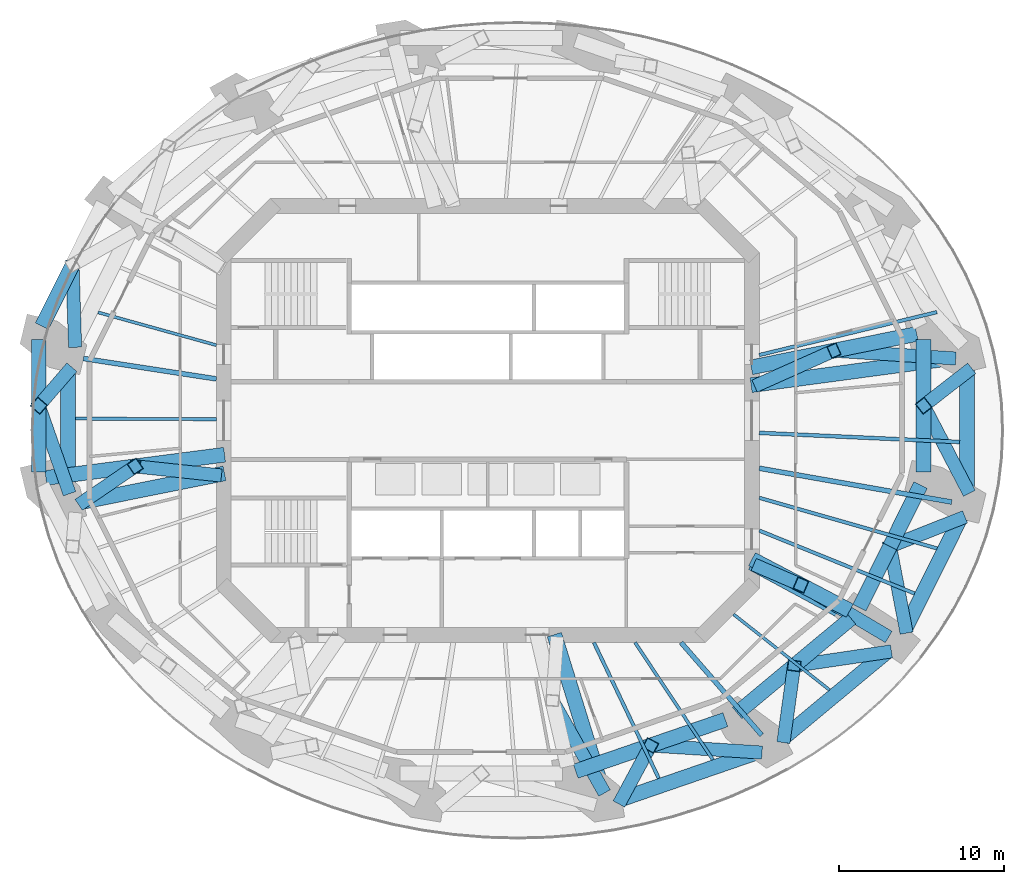
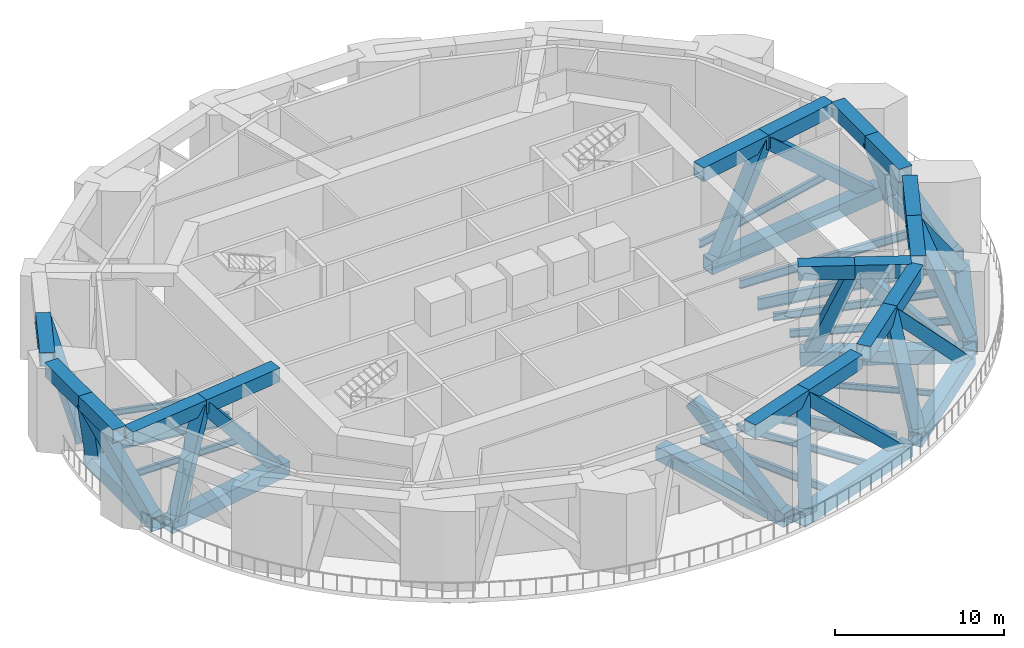
# One storey, part 2 of 11: 44 members, 12 beams.
"""IFC4 building model written with IfcOpenShell, lengths in metres."""

import ifcopenshell
import ifcopenshell.guid

model = None  # the IFC model being written
_history = None  # IfcOwnerHistory: only IFC2X3 demands one
_inside = {}  # id of a spatial element -> (the spatial element, [elements in it])
_under = {}  # id of a project, library or spatial element -> (it, [spatial elements below it])
_declared = {}  # id of a project -> (the project, [libraries it declares])
_typed = {}  # id of a type object -> (the type object, [elements of that type])
_made_of = {}  # id of a material, layer set ... -> (it, [elements and type objects made of it])


def new_model(schema):
    """Start an empty IFC model of exactly this schema.

    Asked for "IFC4X3", IfcOpenShell would pick the latest addendum, in which some entities
    have other attributes; the version numbers below select the first issue.
    IFC2X3 requires an IfcOwnerHistory on every rooted entity: one is made here for all.
    """
    global model, _history
    if schema == "IFC4X3":
        model = ifcopenshell.file(schema_version=(4, 3, 0, 0))
    else:
        model = ifcopenshell.file(schema=schema)
    _inside.clear()
    _under.clear()
    _declared.clear()
    _typed.clear()
    _made_of.clear()
    _history = None
    if model.schema == "IFC2X3":
        org = make("IfcOrganization", Name="unknown")
        user = make(
            "IfcPersonAndOrganization",
            ThePerson=make("IfcPerson", FamilyName="unknown"),
            TheOrganization=org,
        )
        app = make(
            "IfcApplication",
            ApplicationDeveloper=org,
            Version="unknown",
            ApplicationFullName="unknown",
            ApplicationIdentifier="unknown",
        )
        _history = make(
            "IfcOwnerHistory",
            OwningUser=user,
            OwningApplication=app,
            ChangeAction="ADDED",
            CreationDate=0,
        )
    return model


def make(cls, **values):
    """One entity of the class cls with the attributes given. An attribute that is None is left unset."""
    return model.create_entity(
        cls, **{name: value for name, value in values.items() if value is not None}
    )


def rooted(cls, **values):
    """An entity with a GlobalId (a new one), such as an element, a storey or a relation."""
    return make(cls, GlobalId=ifcopenshell.guid.new(), OwnerHistory=_history, **values)


def si_unit(unit_type, name, prefix=None):
    """IfcSIUnit, for example si_unit("LENGTHUNIT", "METRE", prefix="MILLI")."""
    return make("IfcSIUnit", UnitType=unit_type, Prefix=prefix, Name=name)


def assignment(units):
    """IfcUnitAssignment: the units of a project."""
    return None if units is None else make("IfcUnitAssignment", Units=units)


def point(xyz):
    """IfcCartesianPoint."""
    return None if xyz is None else make("IfcCartesianPoint", Coordinates=xyz)


def direction(xyz):
    """IfcDirection."""
    return None if xyz is None else make("IfcDirection", DirectionRatios=xyz)


def frame(location, z_axis=None, x_axis=None):
    """IfcAxis2Placement3D, a coordinate frame: its origin and axes. An axis left out is left unset."""
    return make(
        "IfcAxis2Placement3D",
        Location=point(location),
        Axis=direction(z_axis),
        RefDirection=direction(x_axis),
    )


def frame_2d(location, x_axis=None):
    """IfcAxis2Placement2D, a coordinate frame in the plane: its origin and x axis."""
    return make(
        "IfcAxis2Placement2D", Location=point(location), RefDirection=direction(x_axis)
    )


def origin():
    """The frame at (0, 0, 0) with its axes left unset."""
    return frame((0.0, 0.0, 0.0))


def origin_2d():
    """The frame at (0, 0) in the plane with its x axis left unset."""
    return frame_2d((0.0, 0.0))


def place(relative_to, where):
    """IfcLocalPlacement: puts the frame where relative to a parent placement (None: the world)."""
    return make(
        "IfcLocalPlacement", PlacementRelTo=relative_to, RelativePlacement=where
    )


def context(
    kind, dimensions, precision=None, world=None, true_north=None, identifier=None
):
    """IfcGeometricRepresentationContext, for example the 3D "Model" context."""
    return make(
        "IfcGeometricRepresentationContext",
        ContextIdentifier=identifier,
        ContextType=kind,
        CoordinateSpaceDimension=dimensions,
        Precision=precision,
        WorldCoordinateSystem=world,
        TrueNorth=true_north,
    )


def subcontext(parent, identifier, kind, view, scale=None):
    """IfcGeometricRepresentationSubContext, for example "Body" below "Model"."""
    return make(
        "IfcGeometricRepresentationSubContext",
        ContextIdentifier=identifier,
        ContextType=kind,
        ParentContext=parent,
        TargetScale=scale,
        TargetView=view,
    )


def project(units=None, contexts=None):
    """IfcProject with its units and contexts."""
    return rooted(
        "IfcProject",
        Name="project",
        RepresentationContexts=contexts,
        UnitsInContext=assignment(units),
    )


def spatial(cls, under=None, at=None, **own):
    """A site, building, storey or space (cls), placed at a placement, below another one or the project."""
    s = rooted(cls, ObjectPlacement=at, **own)
    if under is not None:
        _under.setdefault(under.id(), (under, []))[1].append(s)
    return s


def profile(cls, at=None, kind="AREA", **sizes):
    """A parametric profile (cls). Its sizes go by their IFC names, for example OverallWidth=200.0."""
    return make(cls, ProfileType=kind, Position=at, **sizes)


def hollow_rectangle(**sizes):
    """IfcRectangleHollowProfileDef."""
    return profile("IfcRectangleHollowProfileDef", **sizes)


def i_section(**sizes):
    """IfcIShapeProfileDef."""
    return profile("IfcIShapeProfileDef", **sizes)


def extrude(swept, where, along, depth):
    """IfcExtrudedAreaSolid: the profile swept, set in the frame where, extruded along a direction by depth."""
    return make(
        "IfcExtrudedAreaSolid",
        SweptArea=swept,
        Position=where,
        ExtrudedDirection=direction(along),
        Depth=depth,
    )


def shape(context_of_items, identifier, shape_type, items):
    """IfcShapeRepresentation: the items that make up one representation, for example the "Body"."""
    return make(
        "IfcShapeRepresentation",
        ContextOfItems=context_of_items,
        RepresentationIdentifier=identifier,
        RepresentationType=shape_type,
        Items=items,
    )


def material(Name=None, Category=None):
    """IfcMaterial."""
    return make("IfcMaterial", Name=Name, Category=Category)


def material_profile(
    of_material, cross_section, Name=None, Category=None, Priority=None
):
    """IfcMaterialProfile: a cross section and its material."""
    return make(
        "IfcMaterialProfile",
        Name=Name,
        Material=of_material,
        Profile=cross_section,
        Priority=Priority,
        Category=Category,
    )


def profile_set(profiles, Name=None, composite=None):
    """IfcMaterialProfileSet."""
    return make(
        "IfcMaterialProfileSet",
        Name=Name,
        MaterialProfiles=profiles,
        CompositeProfile=composite,
    )


def made_of(thing, what):
    """Note that an element or type object is made of a material, layer set ...; save() writes the relation."""
    if what is not None:
        _made_of.setdefault(what.id(), (what, []))[1].append(thing)
    return thing


def type_object(cls, material=None, **own):
    """A type object (cls), such as IfcWallType, which elements share."""
    return made_of(rooted(cls, **own), material)


def element(
    cls,
    number,
    at=None,
    inside=None,
    cuts=None,
    type_object=None,
    material=None,
    context=None,
    identifier="Body",
    shape_type=None,
    held_by="IfcProductDefinitionShape",
    body=None,
    shapes=None,
    **own,
):
    """One element of the class cls, such as IfcWall. Its Tag is "e" and its number.

    at: its placement. inside: the storey or other place that contains it. cuts: it is an
    opening in that element (IfcRelVoidsElement). A single representation is given by context,
    identifier, shape_type and body (its items); several are given by shapes. held_by: the class
    of the entity that holds the representations. save() writes the other relations.
    """
    e = rooted(cls, Tag="e%d" % number, ObjectPlacement=at, **own)
    if body is not None:
        shapes = [shape(context, identifier, shape_type, body)]
    if shapes is not None:
        e.Representation = make(held_by, Representations=shapes)
    if inside is not None:
        _inside.setdefault(inside.id(), (inside, []))[1].append(e)
    if cuts is not None:
        rooted(
            "IfcRelVoidsElement", RelatingBuildingElement=cuts, RelatedOpeningElement=e
        )
    if type_object is not None:
        _typed.setdefault(type_object.id(), (type_object, []))[1].append(e)
    return made_of(e, material)


def aggregate(whole, parts):
    """IfcRelAggregates: a whole, such as a stair, and the parts it consists of."""
    return rooted("IfcRelAggregates", RelatingObject=whole, RelatedObjects=parts)


def save(model, path):
    """Write the relations noted so far, then the file.

    IfcRelAggregates (storeys below a building ...), IfcRelContainedInSpatialStructure (elements
    in a storey), IfcRelDefinesByType, IfcRelAssociatesMaterial and IfcRelDeclares: one each for
    every whole, place, type object, material and project.
    """
    for whole, parts in _under.values():
        aggregate(whole, parts)
    for where, things in _inside.values():
        rooted(
            "IfcRelContainedInSpatialStructure",
            RelatedElements=things,
            RelatingStructure=where,
        )
    for kind, things in _typed.values():
        rooted("IfcRelDefinesByType", RelatedObjects=things, RelatingType=kind)
    for what, things in _made_of.values():
        rooted("IfcRelAssociatesMaterial", RelatedObjects=things, RelatingMaterial=what)
    for by, libraries in _declared.values():
        rooted("IfcRelDeclares", RelatingContext=by, RelatedDefinitions=libraries)
    model.write(path)


model = new_model("IFC4")

# Units and contexts
model_context = context("Model", 3, precision=1e-05, world=origin(), true_north=direction((0.0, 1.0)))
body_context = subcontext(model_context, "Body", "Model", "MODEL_VIEW")
ifc_project = project(units=[si_unit("LENGTHUNIT", "METRE"), si_unit("AREAUNIT", "SQUARE_METRE"), si_unit("VOLUMEUNIT", "CUBIC_METRE"), si_unit("PLANEANGLEUNIT", "RADIAN"), si_unit("MASSUNIT", "GRAM", prefix="KILO")], contexts=[model_context])

# Site, building, storey
site_placement = place(None, origin())
site = spatial("IfcSite", under=ifc_project, at=site_placement, CompositionType="ELEMENT")
building_placement = place(site_placement, origin())
building = spatial("IfcBuilding", under=site, at=building_placement, Name="Marenthal Gate Tower", CompositionType="ELEMENT")
storey_placement = place(building_placement, frame((0.0, 0.0, 273.10009765625)))
storey = spatial("IfcBuildingStorey", under=building, at=storey_placement, Name="L61", CompositionType="ELEMENT", Elevation=273.10009765625)

# Beams
ifc_material_1 = material(Name="Steel S355", Category="steel")
ifc_material_profile_1 = material_profile(ifc_material_1, i_section(OverallWidth=0.180908203125, OverallDepth=0.4169921875, WebThickness=0.010986328125, FlangeThickness=0.018310546875, FilletRadius=0.01025390625, at=origin_2d()), Name="W410X85")
ifc_profile_set_1 = profile_set([ifc_material_profile_1], Name="Steel S355")
beam_type_1 = type_object("IfcBeamType", Name="W410X85 beam", PredefinedType="BEAM", material=ifc_profile_set_1)
beam_1_placement = place(storey_placement, frame((-23.622802734375, 6.555908203125, -0.508544921875), z_axis=(0.963578028934, -0.267427339957, 0.0), x_axis=(0.267427339957, 0.963578028934, 0.0)))
element("IfcBeam", 1, at=beam_1_placement, inside=storey, type_object=beam_type_1, Name="BM-L61-19", PredefinedType="BEAM", context=body_context, shape_type="SweptSolid", body=[
    extrude(i_section(OverallWidth=0.180908203125, OverallDepth=0.4169921875, WebThickness=0.010986328125, FlangeThickness=0.018310546875, FilletRadius=0.01025390625, at=origin_2d()), origin(), (0.0, 0.0, 1.0), 7.444091796875),
])
beam_2_placement = place(storey_placement, frame((20.705322265625, -16.3271484375, -0.508544921875), z_axis=(-0.785232158351, 0.619201467611, 0.0), x_axis=(-0.619201467611, -0.785232158351, 0.0)))
element("IfcBeam", 2, at=beam_2_placement, inside=storey, type_object=beam_type_1, Name="BM-L61-29", PredefinedType="BEAM", context=body_context, shape_type="SweptSolid", body=[
    extrude(i_section(OverallWidth=0.180908203125, OverallDepth=0.4169921875, WebThickness=0.010986328125, FlangeThickness=0.018310546875, FilletRadius=0.01025390625, at=origin_2d()), origin(), (0.0, 0.0, 1.0), 7.40234375),
])
ifc_material_2 = material(Name="Steel S355", Category="steel")
ifc_material_profile_2 = material_profile(ifc_material_2, i_section(OverallWidth=0.193115234375, OverallDepth=0.467041015625, WebThickness=0.011474609375, FlangeThickness=0.01904296875, FilletRadius=0.010009765625, at=origin_2d()), Name="W460X97")
ifc_profile_set_2 = profile_set([ifc_material_profile_2], Name="Steel S355")
beam_type_2 = type_object("IfcBeamType", Name="W460X97 beam", PredefinedType="BEAM", material=ifc_profile_set_2)
beam_3_placement = place(storey_placement, frame((-24.997314453125, 0.118408203125, -0.53369140625), z_axis=(0.999988759267, -0.00474144913, 0.0), x_axis=(0.00474144913, 0.999988759267, 0.0)))
element("IfcBeam", 3, at=beam_3_placement, inside=storey, type_object=beam_type_2, Name="BM-L61-20", PredefinedType="BEAM", context=body_context, shape_type="SweptSolid", body=[
    extrude(i_section(OverallWidth=0.193115234375, OverallDepth=0.467041015625, WebThickness=0.011474609375, FlangeThickness=0.01904296875, FilletRadius=0.010009765625, at=origin_2d()), origin(), (0.0, 0.0, 1.0), 8.54736328125),
])
beam_4_placement = place(storey_placement, frame((13.63916015625, -20.55859375, -0.53369140625), z_axis=(-0.552829767597, 0.833294214584, 0.0), x_axis=(-0.833294214584, -0.552829767597, 0.0)))
element("IfcBeam", 4, at=beam_4_placement, inside=storey, type_object=beam_type_2, Name="BM-L61-28", PredefinedType="BEAM", context=body_context, shape_type="SweptSolid", body=[
    extrude(i_section(OverallWidth=0.193115234375, OverallDepth=0.467041015625, WebThickness=0.011474609375, FlangeThickness=0.01904296875, FilletRadius=0.010009765625, at=origin_2d()), origin(), (0.0, 0.0, 1.0), 8.53076171875),
])
ifc_material_3 = material(Name="Steel S355", Category="steel")
ifc_material_profile_3 = material_profile(ifc_material_3, i_section(OverallWidth=0.2099609375, OverallDepth=0.535888671875, WebThickness=0.010986328125, FlangeThickness=0.017333984375, FilletRadius=0.0126953125, at=origin_2d()), Name="W530X101")
ifc_profile_set_3 = profile_set([ifc_material_profile_3], Name="Steel S355")
beam_type_3 = type_object("IfcBeamType", Name="W530X101 beam", PredefinedType="BEAM", material=ifc_profile_set_3)
beam_5_placement = place(storey_placement, frame((10.36279296875, -21.6865234375, -0.568115234375), z_axis=(-0.431148856429, 0.902280811943, 0.0), x_axis=(-0.902280811943, -0.431148856429, 0.0)))
element("IfcBeam", 5, at=beam_5_placement, inside=storey, type_object=beam_type_3, Name="BM-L61-27", PredefinedType="BEAM", context=body_context, shape_type="SweptSolid", body=[
    extrude(i_section(OverallWidth=0.2099609375, OverallDepth=0.535888671875, WebThickness=0.010986328125, FlangeThickness=0.017333984375, FilletRadius=0.0126953125, at=origin_2d()), origin(), (0.0, 0.0, 1.0), 9.128662109375),
])
ifc_material_4 = material(Name="Steel S355", Category="steel")
ifc_material_profile_4 = material_profile(ifc_material_4, i_section(OverallWidth=0.2119140625, OverallDepth=0.5439453125, WebThickness=0.01318359375, FlangeThickness=0.021240234375, FilletRadius=0.0126953125, at=origin_2d()), Name="W530X123")
ifc_profile_set_4 = profile_set([ifc_material_profile_4], Name="Steel S355")
beam_type_4 = type_object("IfcBeamType", Name="W530X123 beam", PredefinedType="BEAM", material=ifc_profile_set_4)
beam_6_placement = place(storey_placement, frame((27.2158203125, 6.570068359375, -0.572021484375), z_axis=(-0.972077700504, -0.234659208605, 0.0), x_axis=(0.234659208605, -0.972077700504, 0.0)))
element("IfcBeam", 6, at=beam_6_placement, inside=storey, type_object=beam_type_4, Name="BM-L61-09", PredefinedType="BEAM", context=body_context, shape_type="SweptSolid", body=[
    extrude(i_section(OverallWidth=0.2119140625, OverallDepth=0.5439453125, WebThickness=0.01318359375, FlangeThickness=0.021240234375, FilletRadius=0.0126953125, at=origin_2d()), origin(), (0.0, 0.0, 1.0), 11.0751953125),
])
beam_7_placement = place(storey_placement, frame((25.863525390625, -10.483154296875, -0.572021484375), z_axis=(-0.926761206209, 0.375650990504, 0.0), x_axis=(-0.375650990504, -0.926761206209, 0.0)))
element("IfcBeam", 7, at=beam_7_placement, inside=storey, type_object=beam_type_4, Name="BM-L61-30", PredefinedType="BEAM", context=body_context, shape_type="SweptSolid", body=[
    extrude(i_section(OverallWidth=0.2119140625, OverallDepth=0.5439453125, WebThickness=0.01318359375, FlangeThickness=0.021240234375, FilletRadius=0.0126953125, at=origin_2d()), origin(), (0.0, 0.0, 1.0), 10.157470703125),
])
beam_8_placement = place(storey_placement, frame((27.22412109375, -7.753173828125, -0.572021484375), z_axis=(-0.961758798083, 0.273897817278, 0.0), x_axis=(-0.273897817278, -0.961758798083, 0.0)))
element("IfcBeam", 8, at=beam_8_placement, inside=storey, type_object=beam_type_4, Name="BM-L61-31", PredefinedType="BEAM", context=body_context, shape_type="SweptSolid", body=[
    extrude(i_section(OverallWidth=0.2119140625, OverallDepth=0.5439453125, WebThickness=0.01318359375, FlangeThickness=0.021240234375, FilletRadius=0.0126953125, at=origin_2d()), origin(), (0.0, 0.0, 1.0), 11.20263671875),
])
ifc_material_5 = material(Name="Steel S355", Category="steel")
ifc_material_profile_5 = material_profile(ifc_material_5, i_section(OverallWidth=0.22900390625, OverallDepth=0.612060546875, WebThickness=0.011962890625, FlangeThickness=0.01953125, FilletRadius=0.0126953125, at=origin_2d()), Name="W610X125")
ifc_profile_set_5 = profile_set([ifc_material_profile_5], Name="Steel S355")
beam_type_5 = type_object("IfcBeamType", Name="W610X125 beam", PredefinedType="BEAM", material=ifc_profile_set_5)
beam_9_placement = place(storey_placement, frame((28.59716796875, -1.30029296875, -0.606201171875), z_axis=(-0.998967256493, 0.045435893909, 0.0), x_axis=(-0.045435893909, -0.998967256493, 0.0)))
element("IfcBeam", 9, at=beam_9_placement, inside=storey, type_object=beam_type_5, Name="BM-L61-32", PredefinedType="BEAM", context=body_context, shape_type="SweptSolid", body=[
    extrude(i_section(OverallWidth=0.22900390625, OverallDepth=0.612060546875, WebThickness=0.011962890625, FlangeThickness=0.01953125, FilletRadius=0.0126953125, at=origin_2d()), origin(), (0.0, 0.0, 1.0), 12.15966796875),
])
ifc_material_6 = material(Name="Steel S355", Category="steel")
ifc_material_profile_6 = material_profile(ifc_material_6, i_section(OverallWidth=0.2919921875, OverallDepth=0.841064453125, WebThickness=0.0146484375, FlangeThickness=0.021728515625, FilletRadius=0.017822265625, at=origin_2d()), Name="W840X193")
ifc_profile_set_6 = profile_set([ifc_material_profile_6], Name="Steel S355")
beam_type_6 = type_object("IfcBeamType", Name="W840X193 beam", PredefinedType="BEAM", material=ifc_profile_set_6)
beam_10_placement = place(storey_placement, frame((-24.5048828125, 3.759521484375, -0.720703125), z_axis=(0.988433956799, -0.151651947059, 0.0), x_axis=(0.151651947059, 0.988433956799, 0.0)))
element("IfcBeam", 10, at=beam_10_placement, inside=storey, type_object=beam_type_6, Name="BM-L61-04", PredefinedType="BEAM", context=body_context, shape_type="SweptSolid", body=[
    extrude(i_section(OverallWidth=0.2919921875, OverallDepth=0.841064453125, WebThickness=0.0146484375, FlangeThickness=0.021728515625, FilletRadius=0.017822265625, at=origin_2d()), origin(), (0.0, 0.0, 1.0), 8.149169921875),
])
beam_11_placement = place(storey_placement, frame((16.5966796875, -19.064453125, -0.720703125), z_axis=(-0.656600845843, 0.754238244349, 0.0), x_axis=(-0.754238244349, -0.656600845843, 0.0)))
element("IfcBeam", 11, at=beam_11_placement, inside=storey, type_object=beam_type_6, Name="BM-L61-07", PredefinedType="BEAM", context=body_context, shape_type="SweptSolid", body=[
    extrude(i_section(OverallWidth=0.2919921875, OverallDepth=0.841064453125, WebThickness=0.0146484375, FlangeThickness=0.021728515625, FilletRadius=0.017822265625, at=origin_2d()), origin(), (0.0, 0.0, 1.0), 7.44384765625),
])
beam_12_placement = place(storey_placement, frame((28.10986328125, -4.939453125, -0.720703125), z_axis=(-0.98491055919, 0.173064122212, 0.0), x_axis=(-0.173064122212, -0.98491055919, 0.0)))
element("IfcBeam", 12, at=beam_12_placement, inside=storey, type_object=beam_type_6, Name="BM-L61-08", PredefinedType="BEAM", context=body_context, shape_type="SweptSolid", body=[
    extrude(i_section(OverallWidth=0.2919921875, OverallDepth=0.841064453125, WebThickness=0.0146484375, FlangeThickness=0.021728515625, FilletRadius=0.017822265625, at=origin_2d()), origin(), (0.0, 0.0, 1.0), 11.838623046875),
])

# Members
ifc_material_7 = material(Name="Steel S460", Category="steel")
ifc_material_profile_7 = material_profile(ifc_material_7, hollow_rectangle(XDim=0.89990234375, YDim=1.0, WallThickness=0.06005859375, at=origin_2d()), Name="BOX 1000X900X60")
ifc_profile_set_7 = profile_set([ifc_material_profile_7], Name="Steel S460")
member_type_1 = type_object("IfcMemberType", Name="belt chord BOX 1000X900X60", PredefinedType="CHORD", material=ifc_profile_set_7)
member_1_placement = place(storey_placement, frame((-25.171142578125, 9.4296875, 5.25), z_axis=(-0.446037569832, -0.895014238042, 0.0), x_axis=(0.895014238042, -0.446037569832, 0.0)))
element("IfcMember", 13, at=member_1_placement, inside=storey, type_object=member_type_1, Name="BT-L61-33", PredefinedType="CHORD", context=body_context, shape_type="SweptSolid", body=[
    extrude(hollow_rectangle(XDim=0.89990234375, YDim=1.0, WallThickness=0.06005859375, at=origin_2d()), origin(), (0.0, 0.0, 1.0), 4.1533203125),
])
member_2_placement = place(storey_placement, frame((-25.447265625, 3.453125, -0.800048828125), z_axis=(0.0, -1.0, 0.0), x_axis=(1.0, 0.0, 0.0)))
element("IfcMember", 14, at=member_2_placement, inside=storey, type_object=member_type_1, Name="BT-L61-36", PredefinedType="CHORD", context=body_context, shape_type="SweptSolid", body=[
    extrude(hollow_rectangle(XDim=0.89990234375, YDim=1.0, WallThickness=0.06005859375, at=origin_2d()), origin(), (0.0, 0.0, 1.0), 8.106201171875),
])
member_3_placement = place(storey_placement, frame((-27.212646484375, 4.90771484375, 5.25), z_axis=(0.0, -1.0, 0.0), x_axis=(1.0, 0.0, 0.0)))
element("IfcMember", 15, at=member_3_placement, inside=storey, type_object=member_type_1, Name="BT-L61-37", PredefinedType="CHORD", context=body_context, shape_type="SweptSolid", body=[
    extrude(hollow_rectangle(XDim=0.89990234375, YDim=1.0, WallThickness=0.06005859375, at=origin_2d()), origin(), (0.0, 0.0, 1.0), 4.0078125),
])
member_4_placement = place(storey_placement, frame((-27.212646484375, 0.89990234375, 5.25), z_axis=(0.0, -1.0, 0.0), x_axis=(1.0, 0.0, 0.0)))
element("IfcMember", 16, at=member_4_placement, inside=storey, type_object=member_type_1, Name="BT-L61-38", PredefinedType="CHORD", context=body_context, shape_type="SweptSolid", body=[
    extrude(hollow_rectangle(XDim=0.89990234375, YDim=1.0, WallThickness=0.06005859375, at=origin_2d()), origin(), (0.0, 0.0, 1.0), 4.007568359375),
])
member_5_placement = place(storey_placement, frame((7.634033203125, -23.101806640625, -0.800048828125), z_axis=(0.945541390223, 0.325501888434, 0.0), x_axis=(-0.325501888434, 0.945541390223, 0.0)))
element("IfcMember", 17, at=member_5_placement, inside=storey, type_object=member_type_1, Name="BT-L61-61", PredefinedType="CHORD", context=body_context, shape_type="SweptSolid", body=[
    extrude(hollow_rectangle(XDim=0.89990234375, YDim=1.0, WallThickness=0.06005859375, at=origin_2d()), origin(), (0.0, 0.0, 1.0), 9.7138671875),
])
for number, where, z_axis, x_axis, name in (
    (18, (5.32373046875, -21.251953125, 5.25), (0.94553886959, 0.32550921046, 0.0), (-0.32550921046, 0.94553886959, 0.0), "BT-L61-62"),
    (19, (9.8603515625, -19.690185546875, 5.25), (0.945517814035, 0.325570366191, 0.0), (-0.325570366191, 0.945517814035, 0.0), "BT-L61-63"),
):
    element("IfcMember", number, at=place(storey_placement, frame(where, z_axis=z_axis, x_axis=x_axis)), inside=storey, type_object=member_type_1, Name=name, PredefinedType="CHORD", context=body_context, shape_type="SweptSolid", body=[
        extrude(hollow_rectangle(XDim=0.89990234375, YDim=1.0, WallThickness=0.06005859375, at=origin_2d()), origin(), (0.0, 0.0, 1.0), 4.7978515625),
    ])
member_6_placement = place(storey_placement, frame((17.57373046875, -19.514892578125, -0.800048828125), z_axis=(0.769071224025, 0.639163087464, 0.0), x_axis=(-0.639163087464, 0.769071224025, 0.0)))
element("IfcMember", 20, at=member_6_placement, inside=storey, type_object=member_type_1, Name="BT-L61-66", PredefinedType="CHORD", context=body_context, shape_type="SweptSolid", body=[
    extrude(hollow_rectangle(XDim=0.89990234375, YDim=1.0, WallThickness=0.06005859375, at=origin_2d()), origin(), (0.0, 0.0, 1.0), 9.0810546875),
])
member_7_placement = place(storey_placement, frame((15.10791015625, -17.727783203125, 5.25), z_axis=(0.769032353766, 0.639209855104, 0.0), x_axis=(-0.639209855104, 0.769032353766, 0.0)))
element("IfcMember", 21, at=member_7_placement, inside=storey, type_object=member_type_1, Name="BT-L61-67", PredefinedType="CHORD", context=body_context, shape_type="SweptSolid", body=[
    extrude(hollow_rectangle(XDim=0.89990234375, YDim=1.0, WallThickness=0.06005859375, at=origin_2d()), origin(), (0.0, 0.0, 1.0), 4.487060546875),
])
member_8_placement = place(storey_placement, frame((18.55859375, -14.859619140625, 5.25), z_axis=(0.76903686925, 0.639204422492, 0.0), x_axis=(-0.639204422492, 0.76903686925, 0.0)))
element("IfcMember", 22, at=member_8_placement, inside=storey, type_object=member_type_1, Name="BT-L61-68", PredefinedType="CHORD", context=body_context, shape_type="SweptSolid", body=[
    extrude(hollow_rectangle(XDim=0.89990234375, YDim=1.0, WallThickness=0.06005859375, at=origin_2d()), origin(), (0.0, 0.0, 1.0), 4.48681640625),
])
member_9_placement = place(storey_placement, frame((25.098388671875, -13.027099609375, -0.800048828125), z_axis=(0.446074295106, 0.894995934765, 0.0), x_axis=(-0.894995934765, 0.446074295106, 0.0)))
element("IfcMember", 23, at=member_9_placement, inside=storey, type_object=member_type_1, Name="BT-L61-71", PredefinedType="CHORD", context=body_context, shape_type="SweptSolid", body=[
    extrude(hollow_rectangle(XDim=0.89990234375, YDim=1.0, WallThickness=0.06005859375, at=origin_2d()), origin(), (0.0, 0.0, 1.0), 8.40283203125),
])
member_10_placement = place(storey_placement, frame((22.5185546875, -11.34716796875, 5.25), z_axis=(0.446014104566, 0.895025931763, 0.0), x_axis=(-0.895025931763, 0.446014104566, 0.0)))
element("IfcMember", 24, at=member_10_placement, inside=storey, type_object=member_type_1, Name="BT-L61-72", PredefinedType="CHORD", context=body_context, shape_type="SweptSolid", body=[
    extrude(hollow_rectangle(XDim=0.89990234375, YDim=1.0, WallThickness=0.06005859375, at=origin_2d()), origin(), (0.0, 0.0, 1.0), 4.153564453125),
])
member_11_placement = place(storey_placement, frame((24.37109375, -7.629638671875, 5.25), z_axis=(0.446037569832, 0.895014238042, 0.0), x_axis=(-0.895014238042, 0.446037569832, 0.0)))
element("IfcMember", 25, at=member_11_placement, inside=storey, type_object=member_type_1, Name="BT-L61-73", PredefinedType="CHORD", context=body_context, shape_type="SweptSolid", body=[
    extrude(hollow_rectangle(XDim=0.89990234375, YDim=1.0, WallThickness=0.06005859375, at=origin_2d()), origin(), (0.0, 0.0, 1.0), 4.1533203125),
])
member_12_placement = place(storey_placement, frame((29.047119140625, -4.653076171875, -0.800048828125), z_axis=(0.0, 1.0, 0.0), x_axis=(-1.0, 0.0, 0.0)))
element("IfcMember", 26, at=member_12_placement, inside=storey, type_object=member_type_1, Name="BT-L61-76", PredefinedType="CHORD", context=body_context, shape_type="SweptSolid", body=[
    extrude(hollow_rectangle(XDim=0.89990234375, YDim=1.0, WallThickness=0.06005859375, at=origin_2d()), origin(), (0.0, 0.0, 1.0), 8.106201171875),
])
member_13_placement = place(storey_placement, frame((26.41259765625, -3.107666015625, 5.25), z_axis=(0.0, 1.0, 0.0), x_axis=(-1.0, 0.0, 0.0)))
element("IfcMember", 27, at=member_13_placement, inside=storey, type_object=member_type_1, Name="BT-L61-77", PredefinedType="CHORD", context=body_context, shape_type="SweptSolid", body=[
    extrude(hollow_rectangle(XDim=0.89990234375, YDim=1.0, WallThickness=0.06005859375, at=origin_2d()), origin(), (0.0, 0.0, 1.0), 4.007568359375),
])
member_14_placement = place(storey_placement, frame((26.41259765625, 0.89990234375, 5.25), z_axis=(0.0, 1.0, 0.0), x_axis=(-1.0, 0.0, 0.0)))
element("IfcMember", 28, at=member_14_placement, inside=storey, type_object=member_type_1, Name="BT-L61-78", PredefinedType="CHORD", context=body_context, shape_type="SweptSolid", body=[
    extrude(hollow_rectangle(XDim=0.89990234375, YDim=1.0, WallThickness=0.06005859375, at=origin_2d()), origin(), (0.0, 0.0, 1.0), 4.0078125),
])
ifc_material_8 = material(Name="Steel S355", Category="steel")
ifc_material_profile_8 = material_profile(ifc_material_8, hollow_rectangle(XDim=0.800048828125, YDim=0.800048828125, WallThickness=0.044921875, at=origin_2d()), Name="BOX 800X800X45")
ifc_profile_set_8 = profile_set([ifc_material_profile_8], Name="Steel S355")
member_type_2 = type_object("IfcMemberType", Name="belt diagonal BOX 800X800X45", PredefinedType="BRACE", material=ifc_profile_set_8)
member_15_placement = place(storey_placement, frame((-25.171142578125, 9.4296875, 5.25), z_axis=(0.019281662398, -0.611394699073, -0.7910908541), x_axis=(0.999503073905, 0.031521504628, 0.0)))
element("IfcMember", 29, at=member_15_placement, inside=storey, type_object=member_type_2, Name="BT-L61-35", PredefinedType="BRACE", context=body_context, shape_type="SweptSolid", body=[
    extrude(hollow_rectangle(XDim=0.800048828125, YDim=0.800048828125, WallThickness=0.044921875, at=origin_2d()), origin(), (0.0, 0.0, 1.0), 7.647705078125),
])
member_16_placement = place(storey_placement, frame((-25.447265625, 2.953125, -0.800048828125), z_axis=(-0.266336814989, -0.309762496758, 0.912749635214), x_axis=(0.758256508139, -0.651956338925, 0.0)))
element("IfcMember", 30, at=member_16_placement, inside=storey, type_object=member_type_2, Name="BT-L61-39", PredefinedType="BRACE", context=body_context, shape_type="SweptSolid", body=[
    extrude(hollow_rectangle(XDim=0.800048828125, YDim=0.800048828125, WallThickness=0.044921875, at=origin_2d()), origin(), (0.0, 0.0, 1.0), 6.62841796875),
])
member_17_placement = place(storey_placement, frame((-27.212646484375, 0.89990234375, 5.25), z_axis=(0.218544891993, -0.625532240296, -0.748964315928), x_axis=(0.944042386746, 0.329824153189, 0.0)))
element("IfcMember", 31, at=member_17_placement, inside=storey, type_object=member_type_2, Name="BT-L61-40", PredefinedType="BRACE", context=body_context, shape_type="SweptSolid", body=[
    extrude(hollow_rectangle(XDim=0.800048828125, YDim=0.800048828125, WallThickness=0.044921875, at=origin_2d()), origin(), (0.0, 0.0, 1.0), 8.077880859375),
])
member_18_placement = place(storey_placement, frame((8.10693359375, -22.93896484375, -0.800048828125), z_axis=(0.247397123532, 0.458383949156, 0.853626861354), x_axis=(-0.880009888074, 0.474955363053, 0.0)))
element("IfcMember", 32, at=member_18_placement, inside=storey, type_object=member_type_2, Name="BT-L61-64", PredefinedType="BRACE", context=body_context, shape_type="SweptSolid", body=[
    extrude(hollow_rectangle(XDim=0.800048828125, YDim=0.800048828125, WallThickness=0.044921875, at=origin_2d()), origin(), (0.0, 0.0, 1.0), 7.08740234375),
])
member_19_placement = place(storey_placement, frame((9.8603515625, -19.690185546875, 5.25), z_axis=(0.730443809228, -0.046469039623, -0.681390101129), x_axis=(0.063489195139, 0.99798252595, 0.0)))
element("IfcMember", 33, at=member_19_placement, inside=storey, type_object=member_type_2, Name="BT-L61-65", PredefinedType="BRACE", context=body_context, shape_type="SweptSolid", body=[
    extrude(hollow_rectangle(XDim=0.800048828125, YDim=0.800048828125, WallThickness=0.044921875, at=origin_2d()), origin(), (0.0, 0.0, 1.0), 8.87890625),
])
member_20_placement = place(storey_placement, frame((17.958251953125, -19.1953125, -0.800048828125), z_axis=(0.080395257395, 0.580617883728, 0.810197183212), x_axis=(-0.990549400438, 0.137156426357, 0.0)))
element("IfcMember", 34, at=member_20_placement, inside=storey, type_object=member_type_2, Name="BT-L61-69", PredefinedType="BRACE", context=body_context, shape_type="SweptSolid", body=[
    extrude(hollow_rectangle(XDim=0.800048828125, YDim=0.800048828125, WallThickness=0.044921875, at=origin_2d()), origin(), (0.0, 0.0, 1.0), 7.46728515625),
])
member_21_placement = place(storey_placement, frame((18.55859375, -14.859619140625, 5.25), z_axis=(0.676821733251, 0.099976667733, -0.729326406562), x_axis=(-0.146129273969, 0.989265502931, 0.0)))
element("IfcMember", 35, at=member_21_placement, inside=storey, type_object=member_type_2, Name="BT-L61-70", PredefinedType="BRACE", context=body_context, shape_type="SweptSolid", body=[
    extrude(hollow_rectangle(XDim=0.800048828125, YDim=0.800048828125, WallThickness=0.044921875, at=origin_2d()), origin(), (0.0, 0.0, 1.0), 8.29541015625),
])
member_22_placement = place(storey_placement, frame((25.3212890625, -12.57958984375, -0.800048828125), z_axis=(-0.120667161499, 0.628603982373, 0.768307535743), x_axis=(-0.982069616313, -0.18851861636, 0.0)))
element("IfcMember", 36, at=member_22_placement, inside=storey, type_object=member_type_2, Name="BT-L61-74", PredefinedType="BRACE", context=body_context, shape_type="SweptSolid", body=[
    extrude(hollow_rectangle(XDim=0.800048828125, YDim=0.800048828125, WallThickness=0.044921875, at=origin_2d()), origin(), (0.0, 0.0, 1.0), 7.87451171875),
])
member_23_placement = place(storey_placement, frame((24.37109375, -7.629638671875, 5.25), z_axis=(0.560847802509, 0.220971265206, -0.797885607324), x_axis=(-0.366569353809, 0.930390729128, 0.0)))
element("IfcMember", 37, at=member_23_placement, inside=storey, type_object=member_type_2, Name="BT-L61-75", PredefinedType="BRACE", context=body_context, shape_type="SweptSolid", body=[
    extrude(hollow_rectangle(XDim=0.800048828125, YDim=0.800048828125, WallThickness=0.044921875, at=origin_2d()), origin(), (0.0, 0.0, 1.0), 7.58251953125),
])
member_24_placement = place(storey_placement, frame((29.047119140625, -4.153076171875, -0.800048828125), z_axis=(-0.316983707176, 0.607970696639, 0.727937470813), x_axis=(-0.886715439681, -0.462315616253, 0.0)))
element("IfcMember", 38, at=member_24_placement, inside=storey, type_object=member_type_2, Name="BT-L61-79", PredefinedType="BRACE", context=body_context, shape_type="SweptSolid", body=[
    extrude(hollow_rectangle(XDim=0.800048828125, YDim=0.800048828125, WallThickness=0.044921875, at=origin_2d()), origin(), (0.0, 0.0, 1.0), 8.311279296875),
])
member_25_placement = place(storey_placement, frame((26.41259765625, 0.89990234375, 5.25), z_axis=(0.381216578405, 0.297102346806, -0.875445095863), x_axis=(-0.614714544784, 0.788749661446, 0.0)))
element("IfcMember", 39, at=member_25_placement, inside=storey, type_object=member_type_2, Name="BT-L61-80", PredefinedType="BRACE", context=body_context, shape_type="SweptSolid", body=[
    extrude(hollow_rectangle(XDim=0.800048828125, YDim=0.800048828125, WallThickness=0.044921875, at=origin_2d()), origin(), (0.0, 0.0, 1.0), 6.910888671875),
])
ifc_material_9 = material(Name="Steel S460", Category="steel")
ifc_material_profile_9 = material_profile(ifc_material_9, hollow_rectangle(XDim=0.89990234375, YDim=1.0, WallThickness=0.06005859375, at=origin_2d()), Name="BOX 1000X900X60")
ifc_profile_set_9 = profile_set([ifc_material_profile_9], Name="Steel S460")
member_type_3 = type_object("IfcMemberType", Name="outrigger chord BOX 1000X900X60", PredefinedType="CHORD", material=ifc_profile_set_9)
member_26_placement = place(storey_placement, frame((28.59619140625, 3.843505859375, -0.800048828125), z_axis=(-0.991087262663, -0.133214255193, 0.0), x_axis=(0.133214255193, -0.991087262663, 0.0)))
element("IfcMember", 40, at=member_26_placement, inside=storey, type_object=member_type_3, Name="OR-L61-81", PredefinedType="CHORD", context=body_context, shape_type="SweptSolid", body=[
    extrude(hollow_rectangle(XDim=0.89990234375, YDim=1.0, WallThickness=0.06005859375, at=origin_2d()), origin(), (0.0, 0.0, 1.0), 12.755615234375),
])
for number, where, z_axis, x_axis, name in (
    (41, (25.99560546875, 5.248779296875, 5.25), (-0.98021765102, -0.197922602624, 0.0), (0.197922602624, -0.98021765102, 0.0), "OR-L61-82"),
    (42, (20.977783203125, 4.235595703125, 5.25), (-0.98021765102, -0.197922602624, 0.0), (0.197922602624, -0.98021765102, 0.0), "OR-L61-83"),
):
    element("IfcMember", number, at=place(storey_placement, frame(where, z_axis=z_axis, x_axis=x_axis)), inside=storey, type_object=member_type_3, Name=name, PredefinedType="CHORD", context=body_context, shape_type="SweptSolid", body=[
        extrude(hollow_rectangle(XDim=0.89990234375, YDim=1.0, WallThickness=0.06005859375, at=origin_2d()), origin(), (0.0, 0.0, 1.0), 5.119140625),
    ])
member_27_placement = place(storey_placement, frame((-25.00537109375, -5.015625, -0.800048828125), z_axis=(0.980469579009, 0.19667080271, 0.0), x_axis=(-0.19667080271, 0.980469579009, 0.0)))
element("IfcMember", 43, at=member_27_placement, inside=storey, type_object=member_type_3, Name="OR-L61-101", PredefinedType="CHORD", context=body_context, shape_type="SweptSolid", body=[
    extrude(hollow_rectangle(XDim=0.89990234375, YDim=1.0, WallThickness=0.06005859375, at=origin_2d()), origin(), (0.0, 0.0, 1.0), 9.225830078125),
])
member_28_placement = place(storey_placement, frame((-26.785888671875, -3.4775390625, 5.25), z_axis=(0.991677263144, 0.128748614608, 0.0), x_axis=(-0.128748614608, 0.991677263144, 0.0)))
element("IfcMember", 44, at=member_28_placement, inside=storey, type_object=member_type_3, Name="OR-L61-102", PredefinedType="CHORD", context=body_context, shape_type="SweptSolid", body=[
    extrude(hollow_rectangle(XDim=0.89990234375, YDim=1.0, WallThickness=0.06005859375, at=origin_2d()), origin(), (0.0, 0.0, 1.0), 5.461181640625),
])
member_29_placement = place(storey_placement, frame((-21.3701171875, -2.7744140625, 5.25), z_axis=(0.991678004124, 0.128742907135, 0.0), x_axis=(-0.128742907135, 0.991678004124, 0.0)))
element("IfcMember", 45, at=member_29_placement, inside=storey, type_object=member_type_3, Name="OR-L61-103", PredefinedType="CHORD", context=body_context, shape_type="SweptSolid", body=[
    extrude(hollow_rectangle(XDim=0.89990234375, YDim=1.0, WallThickness=0.06005859375, at=origin_2d()), origin(), (0.0, 0.0, 1.0), 5.46142578125),
])
member_30_placement = place(storey_placement, frame((7.08349609375, -22.805908203125, -0.800048828125), z_axis=(-0.296613987399, 0.954997456792, 0.0), x_axis=(-0.954997456792, -0.296613987399, 0.0)))
element("IfcMember", 46, at=member_30_placement, inside=storey, type_object=member_type_3, Name="OR-L61-111", PredefinedType="CHORD", context=body_context, shape_type="SweptSolid", body=[
    extrude(hollow_rectangle(XDim=0.89990234375, YDim=1.0, WallThickness=0.06005859375, at=origin_2d()), origin(), (0.0, 0.0, 1.0), 10.296875),
])
member_31_placement = place(storey_placement, frame((24.489013671875, -13.205810546875, -0.800048828125), z_axis=(-0.880182857496, 0.474634741007, 0.0), x_axis=(-0.474634741007, -0.880182857496, 0.0)))
element("IfcMember", 47, at=member_31_placement, inside=storey, type_object=member_type_3, Name="OR-L61-116", PredefinedType="CHORD", context=body_context, shape_type="SweptSolid", body=[
    extrude(hollow_rectangle(XDim=0.89990234375, YDim=1.0, WallThickness=0.06005859375, at=origin_2d()), origin(), (0.0, 0.0, 1.0), 9.63330078125),
])
member_32_placement = place(storey_placement, frame((21.938720703125, -11.518310546875, 5.25), z_axis=(-0.885403152625, 0.464823899258, 0.0), x_axis=(-0.464823899258, -0.885403152625, 0.0)))
element("IfcMember", 48, at=member_32_placement, inside=storey, type_object=member_type_3, Name="OR-L61-117", PredefinedType="CHORD", context=body_context, shape_type="SweptSolid", body=[
    extrude(hollow_rectangle(XDim=0.89990234375, YDim=1.0, WallThickness=0.06005859375, at=origin_2d()), origin(), (0.0, 0.0, 1.0), 3.349365234375),
])
member_33_placement = place(storey_placement, frame((18.97314453125, -9.96142578125, 5.25), z_axis=(-0.885388903826, 0.464851039562, 0.0), x_axis=(-0.464851039562, -0.885388903826, 0.0)))
element("IfcMember", 49, at=member_33_placement, inside=storey, type_object=member_type_3, Name="OR-L61-118", PredefinedType="CHORD", context=body_context, shape_type="SweptSolid", body=[
    extrude(hollow_rectangle(XDim=0.89990234375, YDim=1.0, WallThickness=0.06005859375, at=origin_2d()), origin(), (0.0, 0.0, 1.0), 3.349853515625),
])
ifc_material_10 = material(Name="Steel S355", Category="steel")
ifc_material_profile_10 = material_profile(ifc_material_10, hollow_rectangle(XDim=0.800048828125, YDim=0.800048828125, WallThickness=0.044921875, at=origin_2d()), Name="BOX 800X800X45")
ifc_profile_set_10 = profile_set([ifc_material_profile_10], Name="Steel S355")
member_type_4 = type_object("IfcMemberType", Name="outrigger diagonal BOX 800X800X45", PredefinedType="BRACE", material=ifc_profile_set_10)
member_34_placement = place(storey_placement, frame((28.100830078125, 3.777099609375, -0.800048828125), z_axis=(-0.761263457835, 0.049000986215, 0.646588625878), x_axis=(-0.06423504076, -0.997934797238, 0.0)))
element("IfcMember", 50, at=member_34_placement, inside=storey, type_object=member_type_4, Name="OR-L61-84", PredefinedType="BRACE", context=body_context, shape_type="SweptSolid", body=[
    extrude(hollow_rectangle(XDim=0.800048828125, YDim=0.800048828125, WallThickness=0.044921875, at=origin_2d()), origin(), (0.0, 0.0, 1.0), 9.35693359375),
])
member_35_placement = place(storey_placement, frame((20.977783203125, 4.235595703125, 5.25), z_axis=(-0.578764444022, -0.258799392552, -0.773339894711), x_axis=(0.408206313393, -0.912889700734, 0.0)))
element("IfcMember", 51, at=member_35_placement, inside=storey, type_object=member_type_4, Name="OR-L61-85", PredefinedType="BRACE", context=body_context, shape_type="SweptSolid", body=[
    extrude(hollow_rectangle(XDim=0.800048828125, YDim=0.800048828125, WallThickness=0.044921875, at=origin_2d()), origin(), (0.0, 0.0, 1.0), 7.8232421875),
])
member_36_placement = place(storey_placement, frame((-24.51513671875, -4.917236328125, -0.800048828125), z_axis=(0.440020299345, 0.299802683384, 0.846463517938), x_axis=(-0.563066069244, 0.826411883788, 0.0)))
element("IfcMember", 52, at=member_36_placement, inside=storey, type_object=member_type_4, Name="OR-L61-104", PredefinedType="BRACE", context=body_context, shape_type="SweptSolid", body=[
    extrude(hollow_rectangle(XDim=0.800048828125, YDim=0.800048828125, WallThickness=0.044921875, at=origin_2d()), origin(), (0.0, 0.0, 1.0), 7.1474609375),
])
member_37_placement = place(storey_placement, frame((-21.3701171875, -2.7744140625, 5.25), z_axis=(0.629514448048, -0.067190273297, -0.774078178786), x_axis=(0.106130678417, 0.994352190674, 0.0)))
element("IfcMember", 53, at=member_37_placement, inside=storey, type_object=member_type_4, Name="OR-L61-105", PredefinedType="BRACE", context=body_context, shape_type="SweptSolid", body=[
    extrude(hollow_rectangle(XDim=0.800048828125, YDim=0.800048828125, WallThickness=0.044921875, at=origin_2d()), origin(), (0.0, 0.0, 1.0), 7.81591796875),
])
member_38_placement = place(storey_placement, frame((6.935302734375, -22.32861328125, -0.800048828125), z_axis=(-0.350097019914, 0.621297741466, 0.701014402917), x_axis=(-0.871205574338, -0.490918371261, 0.0)))
element("IfcMember", 54, at=member_38_placement, inside=storey, type_object=member_type_4, Name="OR-L61-114", PredefinedType="BRACE", context=body_context, shape_type="SweptSolid", body=[
    extrude(hollow_rectangle(XDim=0.800048828125, YDim=0.800048828125, WallThickness=0.044921875, at=origin_2d()), origin(), (0.0, 0.0, 1.0), 8.63037109375),
])
member_39_placement = place(storey_placement, frame((24.048828125, -12.968505859375, -0.800048828125), z_axis=(-0.600648702052, 0.355853297892, 0.715953606809), x_axis=(-0.509710505234, -0.860345977415, 0.0)))
element("IfcMember", 55, at=member_39_placement, inside=storey, type_object=member_type_4, Name="OR-L61-119", PredefinedType="BRACE", context=body_context, shape_type="SweptSolid", body=[
    extrude(hollow_rectangle(XDim=0.800048828125, YDim=0.800048828125, WallThickness=0.044921875, at=origin_2d()), origin(), (0.0, 0.0, 1.0), 8.450439453125),
])
member_40_placement = place(storey_placement, frame((18.97314453125, -9.96142578125, 5.25), z_axis=(-0.379700487132, 0.164114376006, -0.910436165615), x_axis=(-0.396747337746, -0.917927856638, 0.0)))
element("IfcMember", 56, at=member_40_placement, inside=storey, type_object=member_type_4, Name="OR-L61-120", PredefinedType="BRACE", context=body_context, shape_type="SweptSolid", body=[
    extrude(hollow_rectangle(XDim=0.800048828125, YDim=0.800048828125, WallThickness=0.044921875, at=origin_2d()), origin(), (0.0, 0.0, 1.0), 6.645263671875),
])

save(model, "model.ifc")
